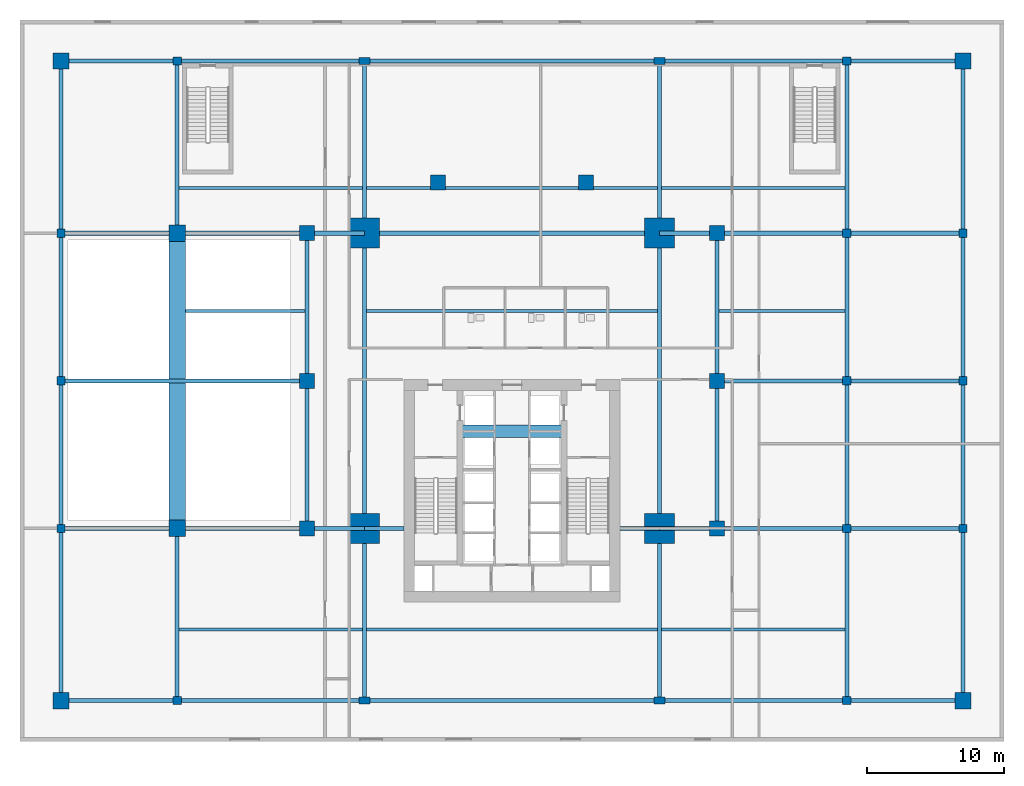
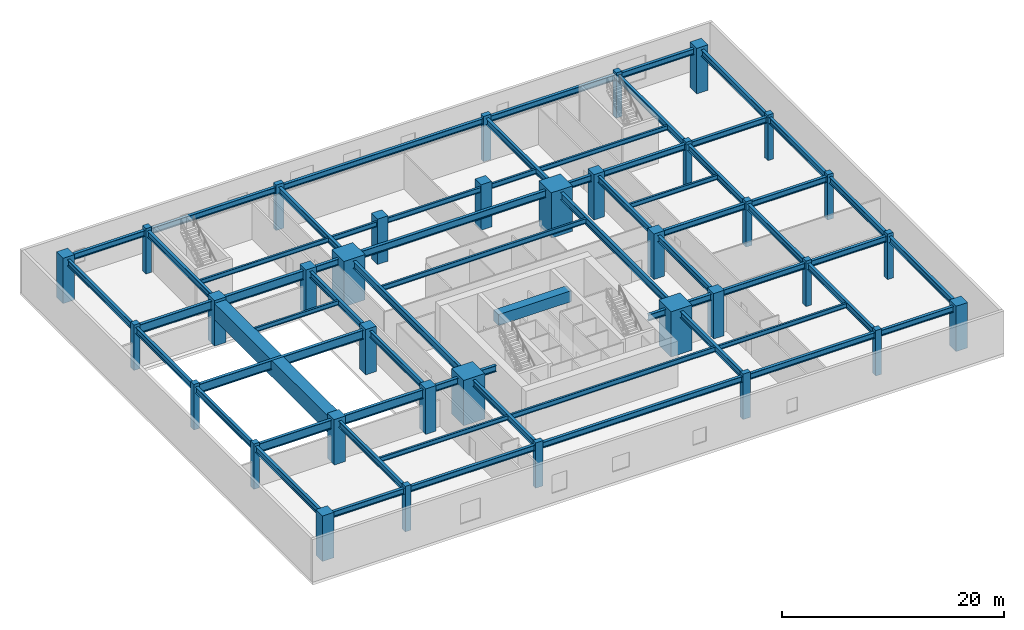
# One storey, part 1 of 9: 61 beams, 35 columns.
"""IFC4 building model written with IfcOpenShell, lengths in metres."""

from ifc_helpers import new_model, si_unit, direction, frame, origin, origin_2d, place, context, subcontext, project, spatial, rectangle, i_section, extrude, source, transform, mapped, material, material_profile, profile_set, type_object, type_shapes, element, save


model = new_model("IFC4")

# Units and contexts
model_context = context("Model", 3, precision=1e-05, world=origin(), true_north=direction((0.0, 1.0)))
body_context = subcontext(model_context, "Body", "Model", "MODEL_VIEW")
ifc_project = project(units=[si_unit("LENGTHUNIT", "METRE"), si_unit("AREAUNIT", "SQUARE_METRE"), si_unit("VOLUMEUNIT", "CUBIC_METRE"), si_unit("PLANEANGLEUNIT", "RADIAN"), si_unit("MASSUNIT", "GRAM", prefix="KILO")], contexts=[model_context])

# Site, building, storey
site_placement = place(None, origin())
site = spatial("IfcSite", under=ifc_project, at=site_placement, CompositionType="ELEMENT")
building_placement = place(site_placement, origin())
building = spatial("IfcBuilding", under=site, at=building_placement, Name="Krantzveldt Concourse Tower", CompositionType="ELEMENT")
storey_placement = place(building_placement, frame((0.0, 0.0, 10.39990234375)))
storey = spatial("IfcBuildingStorey", under=building, at=storey_placement, Name="L02", CompositionType="ELEMENT", Elevation=10.39990234375)

# Columns
ifc_material_1 = material(Name="Concrete C60/75", Category="concrete")
ifc_material_profile_1 = material_profile(ifc_material_1, rectangle(XDim=2.199951171875, YDim=2.199951171875, at=origin_2d()), Name="Concrete C60/75", Category="concrete")
ifc_profile_set_1 = profile_set([ifc_material_profile_1], Name="Concrete C60/75 - RC 2200x2200")
column_type_1 = type_object("IfcColumnType", Name="COL-MC-2200", PredefinedType="USERDEFINED", material=ifc_profile_set_1)
shared_shape_1 = source(origin(), body_context, "Body", "SweptSolid", [
    extrude(rectangle(XDim=2.199951171875, YDim=2.199951171875, at=origin_2d()), origin(), (0.0, 0.0, 1.0), 5.0),
])
type_shapes(column_type_1, [shared_shape_1])
for number, where, z_axis, x_axis, name in (
    (1, (25.199951171875, 15.89990234375, 0.0), (0.0, 0.0, 1.0), (1.0, 0.0, 0.0), "MC-SW-L02"),
    (2, (46.800048828125, 15.89990234375, 0.0), (0.0, 0.0, 1.0), (1.0, 0.0, 0.0), "MC-SE-L02"),
    (3, (46.800048828125, 37.5, 0.0), (0.0, 0.0, 1.0), (1.0, 0.0, 0.0), "MC-NE-L02"),
    (4, (25.199951171875, 37.5, 0.0), (0.0, 0.0, 1.0), (1.0, 0.0, 0.0), "MC-NW-L02"),
):
    element("IfcColumn", number, at=place(storey_placement, frame(where, z_axis=z_axis, x_axis=x_axis)), inside=storey, type_object=column_type_1, Name=name, ObjectType="MEGA COLUMN", PredefinedType="USERDEFINED", context=body_context, shape_type="MappedRepresentation", body=[
        mapped(shared_shape_1, transform((0.0, 0.0, 0.0), x_axis=(1.0, 0.0, 0.0), y_axis=(0.0, 1.0, 0.0), z_axis=(0.0, 0.0, 1.0), scale=1.0)),
    ])
ifc_material_profile_2 = material_profile(ifc_material_1, rectangle(XDim=1.10009765625, YDim=1.10009765625, at=origin_2d()), Name="Concrete C60/75", Category="concrete")
ifc_profile_set_2 = profile_set([ifc_material_profile_2], Name="Concrete C60/75 - RC 1100x1100")
column_type_2 = type_object("IfcColumnType", Name="COL-C-Z1", PredefinedType="COLUMN", material=ifc_profile_set_2)
shared_shape_2 = source(origin(), body_context, "Body", "SweptSolid", [
    extrude(rectangle(XDim=1.10009765625, YDim=1.10009765625, at=origin_2d()), origin(), (0.0, 0.0, 1.0), 5.0),
])
type_shapes(column_type_2, [shared_shape_2])
for number, where, z_axis, x_axis, name in (
    (5, (21.0, 15.89990234375, 0.0), (0.0, 0.0, 1.0), (1.0, 0.0, 0.0), "PC-R01-L02"),
    (6, (21.0, 26.699951171875, 0.0), (0.0, 0.0, 1.0), (1.0, 0.0, 0.0), "PC-R02-L02"),
    (7, (21.0, 37.5, 0.0), (0.0, 0.0, 1.0), (1.0, 0.0, 0.0), "PC-R03-L02"),
    (8, (30.60009765625, 41.199951171875, 0.0), (0.0, 0.0, 1.0), (1.0, 0.0, 0.0), "PC-R04-L02"),
    (9, (41.39990234375, 41.199951171875, 0.0), (0.0, 0.0, 1.0), (1.0, 0.0, 0.0), "PC-R05-L02"),
    (10, (51.0, 37.5, 0.0), (0.0, 0.0, 1.0), (1.0, 0.0, 0.0), "PC-R06-L02"),
    (11, (51.0, 26.699951171875, 0.0), (0.0, 0.0, 1.0), (1.0, 0.0, 0.0), "PC-R07-L02"),
    (12, (51.0, 15.89990234375, 0.0), (0.0, 0.0, 1.0), (1.0, 0.0, 0.0), "PC-R08-L02"),
):
    element("IfcColumn", number, at=place(storey_placement, frame(where, z_axis=z_axis, x_axis=x_axis)), inside=storey, type_object=column_type_2, Name=name, PredefinedType="COLUMN", context=body_context, shape_type="MappedRepresentation", body=[
        mapped(shared_shape_2, transform((0.0, 0.0, 0.0), x_axis=(1.0, 0.0, 0.0), y_axis=(0.0, 1.0, 0.0), z_axis=(0.0, 0.0, 1.0), scale=1.0)),
    ])
ifc_material_2 = material(Name="Concrete C40/50", Category="concrete")
ifc_material_profile_3 = material_profile(ifc_material_2, rectangle(XDim=0.60009765625, YDim=0.60009765625, at=origin_2d()), Name="Concrete C40/50", Category="concrete")
ifc_profile_set_3 = profile_set([ifc_material_profile_3], Name="Concrete C40/50 - RC 600x600")
column_type_3 = type_object("IfcColumnType", Name="COL-C-POD", PredefinedType="COLUMN", material=ifc_profile_set_3)
shared_shape_3 = source(origin(), body_context, "Body", "SweptSolid", [
    extrude(rectangle(XDim=0.60009765625, YDim=0.60009765625, at=origin_2d()), origin(), (0.0, 0.0, 1.0), 5.0),
])
type_shapes(column_type_3, [shared_shape_3])
for number, where, z_axis, x_axis, name in (
    (13, (3.0, 15.89990234375, 0.0), (0.0, 0.0, 1.0), (1.0, 0.0, 0.0), "PC-W1-L02"),
    (14, (3.0, 26.699951171875, 0.0), (0.0, 0.0, 1.0), (1.0, 0.0, 0.0), "PC-W2-L02"),
    (15, (3.0, 37.5, 0.0), (0.0, 0.0, 1.0), (1.0, 0.0, 0.0), "PC-W3-L02"),
    (16, (69.0, 15.89990234375, 0.0), (0.0, 0.0, 1.0), (1.0, 0.0, 0.0), "PC-E1-L02"),
    (17, (69.0, 26.699951171875, 0.0), (0.0, 0.0, 1.0), (1.0, 0.0, 0.0), "PC-E2-L02"),
    (18, (69.0, 37.5, 0.0), (0.0, 0.0, 1.0), (1.0, 0.0, 0.0), "PC-E3-L02"),
    (19, (11.5, 50.10009765625, 0.0), (0.0, 0.0, 1.0), (1.0, 0.0, 0.0), "PC-IW4-L02"),
    (20, (11.5, 3.300048828125, 0.0), (0.0, 0.0, 1.0), (1.0, 0.0, 0.0), "PC-IWS-L02"),
    (21, (60.5, 15.89990234375, 0.0), (0.0, 0.0, 1.0), (1.0, 0.0, 0.0), "PC-IE1-L02"),
    (22, (60.5, 26.699951171875, 0.0), (0.0, 0.0, 1.0), (1.0, 0.0, 0.0), "PC-IE2-L02"),
    (23, (60.5, 37.5, 0.0), (0.0, 0.0, 1.0), (1.0, 0.0, 0.0), "PC-IE3-L02"),
    (24, (60.5, 50.10009765625, 0.0), (0.0, 0.0, 1.0), (1.0, 0.0, 0.0), "PC-IE4-L02"),
    (25, (60.5, 3.300048828125, 0.0), (0.0, 0.0, 1.0), (1.0, 0.0, 0.0), "PC-IES-L02"),
):
    element("IfcColumn", number, at=place(storey_placement, frame(where, z_axis=z_axis, x_axis=x_axis)), inside=storey, type_object=column_type_3, Name=name, PredefinedType="COLUMN", context=body_context, shape_type="MappedRepresentation", body=[
        mapped(shared_shape_3, transform((0.0, 0.0, 0.0), x_axis=(1.0, 0.0, 0.0), y_axis=(0.0, 1.0, 0.0), z_axis=(0.0, 0.0, 1.0), scale=1.0)),
    ])
ifc_material_3 = material(Name="Concrete C50/60", Category="concrete")
ifc_material_profile_4 = material_profile(ifc_material_3, rectangle(XDim=1.199951171875, YDim=1.199951171875, at=origin_2d()), Name="Concrete C50/60", Category="concrete")
ifc_profile_set_4 = profile_set([ifc_material_profile_4], Name="Concrete C50/60 - RC 1200x1200")
column_type_4 = type_object("IfcColumnType", Name="COL-MC-1200", PredefinedType="USERDEFINED", material=ifc_profile_set_4)
shared_shape_4 = source(origin(), body_context, "Body", "SweptSolid", [
    extrude(rectangle(XDim=1.199951171875, YDim=1.199951171875, at=origin_2d()), origin(), (0.0, 0.0, 1.0), 5.0),
])
type_shapes(column_type_4, [shared_shape_4])
for number, where, z_axis, x_axis, name in (
    (26, (3.0, 3.300048828125, 0.0), (0.0, 0.0, 1.0), (1.0, 0.0, 0.0), "PC-SW-L02"),
    (27, (69.0, 3.300048828125, 0.0), (0.0, 0.0, 1.0), (1.0, 0.0, 0.0), "PC-SE-L02"),
    (28, (69.0, 50.10009765625, 0.0), (0.0, 0.0, 1.0), (1.0, 0.0, 0.0), "PC-NE-L02"),
    (29, (3.0, 50.10009765625, 0.0), (0.0, 0.0, 1.0), (1.0, 0.0, 0.0), "PC-NW-L02"),
    (30, (11.5, 15.89990234375, 0.0), (0.0, 0.0, 1.0), (1.0, 0.0, 0.0), "PC-IW1-L02"),
    (31, (11.5, 37.5, 0.0), (0.0, 0.0, 1.0), (1.0, 0.0, 0.0), "PC-IW3-L02"),
):
    element("IfcColumn", number, at=place(storey_placement, frame(where, z_axis=z_axis, x_axis=x_axis)), inside=storey, type_object=column_type_4, Name=name, ObjectType="MEGA COLUMN", PredefinedType="USERDEFINED", context=body_context, shape_type="MappedRepresentation", body=[
        mapped(shared_shape_4, transform((0.0, 0.0, 0.0), x_axis=(1.0, 0.0, 0.0), y_axis=(0.0, 1.0, 0.0), z_axis=(0.0, 0.0, 1.0), scale=1.0)),
    ])
ifc_material_profile_5 = material_profile(ifc_material_3, rectangle(XDim=0.800048828125, YDim=0.5, at=origin_2d()), Name="Concrete C50/60", Category="concrete")
ifc_profile_set_5 = profile_set([ifc_material_profile_5], Name="Concrete C50/60 - RC-PIL 800x500")
column_type_5 = type_object("IfcColumnType", Name="COL-PIL-800", PredefinedType="PILASTER", material=ifc_profile_set_5)
shared_shape_5 = source(origin(), body_context, "Body", "SweptSolid", [
    extrude(rectangle(XDim=0.800048828125, YDim=0.5, at=origin_2d()), origin(), (0.0, 0.0, 1.0), 5.0),
])
type_shapes(column_type_5, [shared_shape_5])
for number, where, z_axis, x_axis, name in (
    (32, (25.199951171875, 3.300048828125, 0.0), (0.0, 0.0, 1.0), (1.0, 0.0, 0.0), "PC-PIL1-L02"),
    (33, (46.800048828125, 3.300048828125, 0.0), (0.0, 0.0, 1.0), (1.0, 0.0, 0.0), "PC-PIL2-L02"),
    (34, (25.199951171875, 50.10009765625, 0.0), (0.0, 0.0, 1.0), (1.0, 0.0, 0.0), "PC-PIL3-L02"),
    (35, (46.800048828125, 50.10009765625, 0.0), (0.0, 0.0, 1.0), (1.0, 0.0, 0.0), "PC-PIL4-L02"),
):
    element("IfcColumn", number, at=place(storey_placement, frame(where, z_axis=z_axis, x_axis=x_axis)), inside=storey, type_object=column_type_5, Name=name, PredefinedType="PILASTER", context=body_context, shape_type="MappedRepresentation", body=[
        mapped(shared_shape_5, transform((0.0, 0.0, 0.0), x_axis=(1.0, 0.0, 0.0), y_axis=(0.0, 1.0, 0.0), z_axis=(0.0, 0.0, 1.0), scale=1.0)),
    ])

# Beams
ifc_material_profile_6 = material_profile(ifc_material_3, rectangle(XDim=0.89990234375, YDim=1.199951171875, at=origin_2d()), Name="Concrete C50/60", Category="concrete")
ifc_profile_set_6 = profile_set([ifc_material_profile_6], Name="Concrete C50/60 - RC-CB 900x1200")
beam_type_1 = type_object("IfcBeamType", Name="BM-CB-1200", PredefinedType="LINTEL", material=ifc_profile_set_6)
shared_shape_6 = source(origin(), body_context, "Body", "SweptSolid", [
    extrude(rectangle(XDim=0.89990234375, YDim=1.199951171875, at=origin_2d()), origin(), (0.0, 0.0, 1.0), 7.580078125),
])
type_shapes(beam_type_1, [shared_shape_6])
beam_1_placement = place(storey_placement, frame((32.2099609375, 23.0, 4.10009765625), z_axis=(1.0, 0.0, 0.0), x_axis=(0.0, 1.0, 0.0)))
element("IfcBeam", 36, at=beam_1_placement, inside=storey, type_object=beam_type_1, Name="CB-L02-01", PredefinedType="LINTEL", context=body_context, shape_type="MappedRepresentation", body=[
    mapped(shared_shape_6, transform((0.0, 0.0, 0.0), x_axis=(1.0, 0.0, 0.0), y_axis=(0.0, 1.0, 0.0), z_axis=(0.0, 0.0, 1.0), scale=1.0)),
])
ifc_material_4 = material(Name="Steel S355J2", Category="steel")
ifc_material_profile_7 = material_profile(ifc_material_4, i_section(OverallWidth=0.300048828125, OverallDepth=0.800048828125, WebThickness=0.017578125, FlangeThickness=0.032958984375, FilletRadius=0.030029296875, at=origin_2d()), Name="Steel S355J2", Category="steel")
ifc_profile_set_7 = profile_set([ifc_material_profile_7], Name="Steel S355J2 - HEB 800")
beam_type_2 = type_object("IfcBeamType", Name="BM-B-HEB800", PredefinedType="BEAM", material=ifc_profile_set_7)
shared_shape_7 = source(origin(), body_context, "Body", "SweptSolid", [
    extrude(i_section(OverallWidth=0.300048828125, OverallDepth=0.800048828125, WebThickness=0.017578125, FlangeThickness=0.032958984375, FilletRadius=0.030029296875, at=origin_2d()), origin(), (0.0, 0.0, 1.0), 21.60009765625),
])
type_shapes(beam_type_2, [shared_shape_7])
for number, where, z_axis, x_axis, name in (
    (37, (25.199951171875, 37.5, 4.300048828125), (1.0, 0.0, 0.0), (0.0, 1.0, 0.0), "L02 Podium Primary Girder BG-MN"),
    (38, (25.199951171875, 15.89990234375, 4.300048828125), (0.0, 1.0, 0.0), (-1.0, 0.0, 0.0), "L02 Podium Primary Girder BG-MW"),
    (39, (46.800048828125, 15.89990234375, 4.300048828125), (0.0, 1.0, 0.0), (-1.0, 0.0, 0.0), "L02 Podium Primary Girder BG-ME"),
):
    element("IfcBeam", number, at=place(storey_placement, frame(where, z_axis=z_axis, x_axis=x_axis)), inside=storey, type_object=beam_type_2, Name=name, PredefinedType="BEAM", context=body_context, shape_type="MappedRepresentation", body=[
        mapped(shared_shape_7, transform((0.0, 0.0, 0.0), x_axis=(1.0, 0.0, 0.0), y_axis=(0.0, 1.0, 0.0), z_axis=(0.0, 0.0, 1.0), scale=1.0)),
    ])
ifc_material_5 = material(Name="Steel S355JR", Category="steel")
ifc_material_profile_8 = material_profile(ifc_material_5, i_section(OverallWidth=0.300048828125, OverallDepth=0.68994140625, WebThickness=0.014404296875, FlangeThickness=0.027099609375, FilletRadius=0.027099609375, at=origin_2d()), Name="Steel S355JR", Category="steel")
ifc_profile_set_8 = profile_set([ifc_material_profile_8], Name="Steel S355JR - HEA 700")
beam_type_3 = type_object("IfcBeamType", Name="BM-B-HEA700", PredefinedType="BEAM", material=ifc_profile_set_8)
shared_shape_8 = source(origin(), body_context, "Body", "SweptSolid", [
    extrude(i_section(OverallWidth=0.300048828125, OverallDepth=0.68994140625, WebThickness=0.014404296875, FlangeThickness=0.027099609375, FilletRadius=0.027099609375, at=origin_2d()), origin(), (0.0, 0.0, 1.0), 10.800048828125),
])
for number, where, z_axis, x_axis, name in (
    (40, (21.0, 15.89990234375, 4.35498046875), (0.0, 1.0, 0.0), (-1.0, 0.0, 0.0), "L02 Podium Primary Girder BG-RW1"),
    (41, (21.0, 26.699951171875, 4.35498046875), (0.0, 1.0, 0.0), (-1.0, 0.0, 0.0), "L02 Podium Primary Girder BG-RW2"),
    (42, (51.0, 15.89990234375, 4.35498046875), (0.0, 1.0, 0.0), (-1.0, 0.0, 0.0), "L02 Podium Primary Girder BG-RE1"),
    (43, (51.0, 26.699951171875, 4.35498046875), (0.0, 1.0, 0.0), (-1.0, 0.0, 0.0), "L02 Podium Primary Girder BG-RE2"),
    (44, (60.5, 15.89990234375, 4.35498046875), (0.0, 1.0, 0.0), (-1.0, 0.0, 0.0), "L02 Podium Primary Girder BG-IE-2"),
    (45, (60.5, 26.699951171875, 4.35498046875), (0.0, 1.0, 0.0), (-1.0, 0.0, 0.0), "L02 Podium Primary Girder BG-IE-3"),
    (46, (3.0, 15.89990234375, 4.35498046875), (0.0, 1.0, 0.0), (-1.0, 0.0, 0.0), "L02 Podium Primary Girder BG-OW2"),
    (47, (3.0, 26.699951171875, 4.35498046875), (0.0, 1.0, 0.0), (-1.0, 0.0, 0.0), "L02 Podium Primary Girder BG-OW3"),
    (48, (69.0, 15.89990234375, 4.35498046875), (0.0, 1.0, 0.0), (-1.0, 0.0, 0.0), "L02 Podium Primary Girder BG-OE2"),
    (49, (69.0, 26.699951171875, 4.35498046875), (0.0, 1.0, 0.0), (-1.0, 0.0, 0.0), "L02 Podium Primary Girder BG-OE3"),
):
    element("IfcBeam", number, at=place(storey_placement, frame(where, z_axis=z_axis, x_axis=x_axis)), inside=storey, type_object=beam_type_3, Name=name, PredefinedType="BEAM", context=body_context, shape_type="MappedRepresentation", body=[
        mapped(shared_shape_8, transform((0.0, 0.0, 0.0), x_axis=(1.0, 0.0, 0.0), y_axis=(0.0, 1.0, 0.0), z_axis=(0.0, 0.0, 1.0), scale=1.0)),
    ])
ifc_material_profile_9 = material_profile(ifc_material_4, i_section(OverallWidth=0.300048828125, OverallDepth=0.699951171875, WebThickness=0.01708984375, FlangeThickness=0.031982421875, FilletRadius=0.027099609375, at=origin_2d()), Name="Steel S355J2", Category="steel")
ifc_profile_set_9 = profile_set([ifc_material_profile_9], Name="Steel S355J2 - HEB 700")
beam_type_4 = type_object("IfcBeamType", Name="BM-B-HEB700", PredefinedType="BEAM", material=ifc_profile_set_9)
shared_shape_9 = source(origin(), body_context, "Body", "SweptSolid", [
    extrude(i_section(OverallWidth=0.300048828125, OverallDepth=0.699951171875, WebThickness=0.01708984375, FlangeThickness=0.031982421875, FilletRadius=0.027099609375, at=origin_2d()), origin(), (0.0, 0.0, 1.0), 4.199951171875),
])
for number, where, z_axis, x_axis, name in (
    (50, (21.0, 15.89990234375, 4.35009765625), (1.0, 0.0, 0.0), (0.0, 1.0, 0.0), "L02 Podium Primary Girder BG-RL1"),
    (51, (21.0, 37.5, 4.35009765625), (1.0, 0.0, 0.0), (0.0, 1.0, 0.0), "L02 Podium Primary Girder BG-RL3"),
    (52, (46.800048828125, 15.89990234375, 4.35009765625), (1.0, 0.0, 0.0), (0.0, 1.0, 0.0), "L02 Podium Primary Girder BG-RR1"),
    (53, (46.800048828125, 37.5, 4.35009765625), (1.0, 0.0, 0.0), (0.0, 1.0, 0.0), "L02 Podium Primary Girder BG-RR3"),
):
    element("IfcBeam", number, at=place(storey_placement, frame(where, z_axis=z_axis, x_axis=x_axis)), inside=storey, type_object=beam_type_4, Name=name, PredefinedType="BEAM", context=body_context, shape_type="MappedRepresentation", body=[
        mapped(shared_shape_9, transform((0.0, 0.0, 0.0), x_axis=(1.0, 0.0, 0.0), y_axis=(0.0, 1.0, 0.0), z_axis=(0.0, 0.0, 1.0), scale=1.0)),
    ])
shared_shape_10 = source(origin(), body_context, "Body", "SweptSolid", [
    extrude(i_section(OverallWidth=0.300048828125, OverallDepth=0.699951171875, WebThickness=0.01708984375, FlangeThickness=0.031982421875, FilletRadius=0.027099609375, at=origin_2d()), origin(), (0.0, 0.0, 1.0), 2.880126953125),
])
type_shapes(beam_type_4, [shared_shape_9, shared_shape_10])
for number, where, z_axis, x_axis, name in (
    (54, (25.199951171875, 15.89990234375, 4.35009765625), (1.0, 0.0, 0.0), (0.0, 1.0, 0.0), "L02 Podium Primary Girder BG-CW"),
    (55, (43.919921875, 15.89990234375, 4.35009765625), (1.0, 0.0, 0.0), (0.0, 1.0, 0.0), "L02 Podium Primary Girder BG-CE"),
):
    element("IfcBeam", number, at=place(storey_placement, frame(where, z_axis=z_axis, x_axis=x_axis)), inside=storey, type_object=beam_type_4, Name=name, PredefinedType="BEAM", context=body_context, shape_type="MappedRepresentation", body=[
        mapped(shared_shape_10, transform((0.0, 0.0, 0.0), x_axis=(1.0, 0.0, 0.0), y_axis=(0.0, 1.0, 0.0), z_axis=(0.0, 0.0, 1.0), scale=1.0)),
    ])
shared_shape_11 = source(origin(), body_context, "Body", "SweptSolid", [
    extrude(i_section(OverallWidth=0.300048828125, OverallDepth=0.68994140625, WebThickness=0.014404296875, FlangeThickness=0.027099609375, FilletRadius=0.027099609375, at=origin_2d()), origin(), (0.0, 0.0, 1.0), 12.60009765625),
])
for number, where, z_axis, x_axis, name in (
    (56, (25.199951171875, 37.5, 4.35498046875), (0.0, 1.0, 0.0), (-1.0, 0.0, 0.0), "L02 Podium Primary Girder BG-PN1"),
    (57, (46.800048828125, 37.5, 4.35498046875), (0.0, 1.0, 0.0), (-1.0, 0.0, 0.0), "L02 Podium Primary Girder BG-PN2"),
    (58, (11.5, 37.5, 4.35498046875), (0.0, 1.0, 0.0), (-1.0, 0.0, 0.0), "L02 Podium Primary Girder BG-IW-3"),
    (59, (60.5, 37.5, 4.35498046875), (0.0, 1.0, 0.0), (-1.0, 0.0, 0.0), "L02 Podium Primary Girder BG-IE-4"),
    (60, (3.0, 37.5, 4.35498046875), (0.0, 1.0, 0.0), (-1.0, 0.0, 0.0), "L02 Podium Primary Girder BG-OW4"),
    (61, (69.0, 37.5, 4.35498046875), (0.0, 1.0, 0.0), (-1.0, 0.0, 0.0), "L02 Podium Primary Girder BG-OE4"),
):
    element("IfcBeam", number, at=place(storey_placement, frame(where, z_axis=z_axis, x_axis=x_axis)), inside=storey, type_object=beam_type_3, Name=name, PredefinedType="BEAM", context=body_context, shape_type="MappedRepresentation", body=[
        mapped(shared_shape_11, transform((0.0, 0.0, 0.0), x_axis=(1.0, 0.0, 0.0), y_axis=(0.0, 1.0, 0.0), z_axis=(0.0, 0.0, 1.0), scale=1.0)),
    ])
shared_shape_12 = source(origin(), body_context, "Body", "SweptSolid", [
    extrude(i_section(OverallWidth=0.300048828125, OverallDepth=0.68994140625, WebThickness=0.014404296875, FlangeThickness=0.027099609375, FilletRadius=0.027099609375, at=origin_2d()), origin(), (0.0, 0.0, 1.0), 12.599853515625),
])
type_shapes(beam_type_3, [shared_shape_8, shared_shape_11, shared_shape_12])
for number, where, z_axis, x_axis, name in (
    (62, (25.199951171875, 3.300048828125, 4.35498046875), (0.0, 1.0, 0.0), (-1.0, 0.0, 0.0), "L02 Podium Primary Girder BG-PS1"),
    (63, (46.800048828125, 3.300048828125, 4.35498046875), (0.0, 1.0, 0.0), (-1.0, 0.0, 0.0), "L02 Podium Primary Girder BG-PS2"),
    (64, (11.5, 3.300048828125, 4.35498046875), (0.0, 1.0, 0.0), (-1.0, 0.0, 0.0), "L02 Podium Primary Girder BG-IW-1"),
    (65, (60.5, 3.300048828125, 4.35498046875), (0.0, 1.0, 0.0), (-1.0, 0.0, 0.0), "L02 Podium Primary Girder BG-IE-1"),
    (66, (3.0, 3.300048828125, 4.35498046875), (0.0, 1.0, 0.0), (-1.0, 0.0, 0.0), "L02 Podium Primary Girder BG-OW1"),
    (67, (69.0, 3.300048828125, 4.35498046875), (0.0, 1.0, 0.0), (-1.0, 0.0, 0.0), "L02 Podium Primary Girder BG-OE1"),
):
    element("IfcBeam", number, at=place(storey_placement, frame(where, z_axis=z_axis, x_axis=x_axis)), inside=storey, type_object=beam_type_3, Name=name, PredefinedType="BEAM", context=body_context, shape_type="MappedRepresentation", body=[
        mapped(shared_shape_12, transform((0.0, 0.0, 0.0), x_axis=(1.0, 0.0, 0.0), y_axis=(0.0, 1.0, 0.0), z_axis=(0.0, 0.0, 1.0), scale=1.0)),
    ])
ifc_material_profile_10 = material_profile(ifc_material_5, i_section(OverallWidth=0.300048828125, OverallDepth=0.639892578125, WebThickness=0.013427734375, FlangeThickness=0.02587890625, FilletRadius=0.027099609375, at=origin_2d()), Name="Steel S355JR", Category="steel")
ifc_profile_set_10 = profile_set([ifc_material_profile_10], Name="Steel S355JR - HEA 650")
beam_type_5 = type_object("IfcBeamType", Name="BM-B-HEA650", PredefinedType="BEAM", material=ifc_profile_set_10)
shared_shape_13 = source(origin(), body_context, "Body", "SweptSolid", [
    extrude(i_section(OverallWidth=0.300048828125, OverallDepth=0.639892578125, WebThickness=0.013427734375, FlangeThickness=0.02587890625, FilletRadius=0.027099609375, at=origin_2d()), origin(), (0.0, 0.0, 1.0), 13.699951171875),
])
for number, where, z_axis, x_axis, name in (
    (68, (11.5, 3.300048828125, 4.380126953125), (1.0, 0.0, 0.0), (0.0, 1.0, 0.0), "L02 Podium Primary Girder BG-SN1"),
    (69, (46.800048828125, 3.300048828125, 4.380126953125), (1.0, 0.0, 0.0), (0.0, 1.0, 0.0), "L02 Podium Primary Girder BG-SN3"),
    (70, (11.5, 50.10009765625, 4.380126953125), (1.0, 0.0, 0.0), (0.0, 1.0, 0.0), "L02 Podium Primary Girder BG-NN1"),
    (71, (46.800048828125, 50.10009765625, 4.380126953125), (1.0, 0.0, 0.0), (0.0, 1.0, 0.0), "L02 Podium Primary Girder BG-NN3"),
):
    element("IfcBeam", number, at=place(storey_placement, frame(where, z_axis=z_axis, x_axis=x_axis)), inside=storey, type_object=beam_type_5, Name=name, PredefinedType="BEAM", context=body_context, shape_type="MappedRepresentation", body=[
        mapped(shared_shape_13, transform((0.0, 0.0, 0.0), x_axis=(1.0, 0.0, 0.0), y_axis=(0.0, 1.0, 0.0), z_axis=(0.0, 0.0, 1.0), scale=1.0)),
    ])
shared_shape_14 = source(origin(), body_context, "Body", "SweptSolid", [
    extrude(i_section(OverallWidth=0.300048828125, OverallDepth=0.639892578125, WebThickness=0.013427734375, FlangeThickness=0.02587890625, FilletRadius=0.027099609375, at=origin_2d()), origin(), (0.0, 0.0, 1.0), 21.60009765625),
])
for number, where, z_axis, x_axis, name in (
    (72, (25.199951171875, 3.300048828125, 4.380126953125), (1.0, 0.0, 0.0), (0.0, 1.0, 0.0), "L02 Podium Primary Girder BG-SN2"),
    (73, (25.199951171875, 50.10009765625, 4.380126953125), (1.0, 0.0, 0.0), (0.0, 1.0, 0.0), "L02 Podium Primary Girder BG-NN2"),
):
    element("IfcBeam", number, at=place(storey_placement, frame(where, z_axis=z_axis, x_axis=x_axis)), inside=storey, type_object=beam_type_5, Name=name, PredefinedType="BEAM", context=body_context, shape_type="MappedRepresentation", body=[
        mapped(shared_shape_14, transform((0.0, 0.0, 0.0), x_axis=(1.0, 0.0, 0.0), y_axis=(0.0, 1.0, 0.0), z_axis=(0.0, 0.0, 1.0), scale=1.0)),
    ])
ifc_material_profile_11 = material_profile(ifc_material_1, rectangle(XDim=1.199951171875, YDim=1.800048828125, at=origin_2d()), Name="Concrete C60/75", Category="concrete")
ifc_profile_set_11 = profile_set([ifc_material_profile_11], Name="Concrete C60/75 - RC-TB 1200x1800")
beam_type_6 = type_object("IfcBeamType", Name="BM-RCTB-1800", PredefinedType="USERDEFINED", material=ifc_profile_set_11)
shared_shape_15 = source(origin(), body_context, "Body", "SweptSolid", [
    extrude(rectangle(XDim=1.199951171875, YDim=1.800048828125, at=origin_2d()), origin(), (0.0, 0.0, 1.0), 21.60009765625),
])
type_shapes(beam_type_6, [shared_shape_15])
beam_2_placement = place(storey_placement, frame((11.5, 15.89990234375, 3.800048828125), z_axis=(0.0, 1.0, 0.0), x_axis=(-1.0, 0.0, 0.0)))
element("IfcBeam", 74, at=beam_2_placement, inside=storey, type_object=beam_type_6, Name="L02 Podium Primary Girder BG-IW-2", ObjectType="TRANSFER GIRDER", PredefinedType="USERDEFINED", context=body_context, shape_type="MappedRepresentation", body=[
    mapped(shared_shape_15, transform((0.0, 0.0, 0.0), x_axis=(1.0, 0.0, 0.0), y_axis=(0.0, 1.0, 0.0), z_axis=(0.0, 0.0, 1.0), scale=1.0)),
])
shared_shape_16 = source(origin(), body_context, "Body", "SweptSolid", [
    extrude(i_section(OverallWidth=0.300048828125, OverallDepth=0.639892578125, WebThickness=0.013427734375, FlangeThickness=0.02587890625, FilletRadius=0.027099609375, at=origin_2d()), origin(), (0.0, 0.0, 1.0), 9.5),
])
for number, where, z_axis, x_axis, name in (
    (75, (51.0, 15.89990234375, 4.380126953125), (1.0, 0.0, 0.0), (0.0, 1.0, 0.0), "L02 Podium Primary Girder BG-ME1"),
    (76, (51.0, 26.699951171875, 4.380126953125), (1.0, 0.0, 0.0), (0.0, 1.0, 0.0), "L02 Podium Primary Girder BG-ME2"),
    (77, (51.0, 37.5, 4.380126953125), (1.0, 0.0, 0.0), (0.0, 1.0, 0.0), "L02 Podium Primary Girder BG-ME3"),
):
    element("IfcBeam", number, at=place(storey_placement, frame(where, z_axis=z_axis, x_axis=x_axis)), inside=storey, type_object=beam_type_5, Name=name, PredefinedType="BEAM", context=body_context, shape_type="MappedRepresentation", body=[
        mapped(shared_shape_16, transform((0.0, 0.0, 0.0), x_axis=(1.0, 0.0, 0.0), y_axis=(0.0, 1.0, 0.0), z_axis=(0.0, 0.0, 1.0), scale=1.0)),
    ])
shared_shape_17 = source(origin(), body_context, "Body", "SweptSolid", [
    extrude(i_section(OverallWidth=0.300048828125, OverallDepth=0.639892578125, WebThickness=0.013427734375, FlangeThickness=0.02587890625, FilletRadius=0.027099609375, at=origin_2d()), origin(), (0.0, 0.0, 1.0), 8.5),
])
type_shapes(beam_type_5, [shared_shape_13, shared_shape_14, shared_shape_16, shared_shape_17])
for number, where, z_axis, x_axis, name in (
    (78, (3.0, 3.300048828125, 4.380126953125), (1.0, 0.0, 0.0), (0.0, 1.0, 0.0), "L02 Podium Primary Girder BG-OWS"),
    (79, (3.0, 50.10009765625, 4.380126953125), (1.0, 0.0, 0.0), (0.0, 1.0, 0.0), "L02 Podium Primary Girder BG-OWN"),
    (80, (60.5, 3.300048828125, 4.380126953125), (1.0, 0.0, 0.0), (0.0, 1.0, 0.0), "L02 Podium Primary Girder BG-OES"),
    (81, (60.5, 50.10009765625, 4.380126953125), (1.0, 0.0, 0.0), (0.0, 1.0, 0.0), "L02 Podium Primary Girder BG-OEN"),
    (82, (60.5, 15.89990234375, 4.380126953125), (1.0, 0.0, 0.0), (0.0, 1.0, 0.0), "L02 Podium Primary Girder BG-EE1"),
    (83, (60.5, 26.699951171875, 4.380126953125), (1.0, 0.0, 0.0), (0.0, 1.0, 0.0), "L02 Podium Primary Girder BG-EE2"),
    (84, (60.5, 37.5, 4.380126953125), (1.0, 0.0, 0.0), (0.0, 1.0, 0.0), "L02 Podium Primary Girder BG-EE3"),
):
    element("IfcBeam", number, at=place(storey_placement, frame(where, z_axis=z_axis, x_axis=x_axis)), inside=storey, type_object=beam_type_5, Name=name, PredefinedType="BEAM", context=body_context, shape_type="MappedRepresentation", body=[
        mapped(shared_shape_17, transform((0.0, 0.0, 0.0), x_axis=(1.0, 0.0, 0.0), y_axis=(0.0, 1.0, 0.0), z_axis=(0.0, 0.0, 1.0), scale=1.0)),
    ])
ifc_material_profile_12 = material_profile(ifc_material_4, i_section(OverallWidth=0.300048828125, OverallDepth=1.0, WebThickness=0.01904296875, FlangeThickness=0.035888671875, FilletRadius=0.030029296875, at=origin_2d()), Name="Steel S355J2", Category="steel")
ifc_profile_set_12 = profile_set([ifc_material_profile_12], Name="Steel S355J2 - HEB 1000")
beam_type_7 = type_object("IfcBeamType", Name="BM-B-HEB1000", PredefinedType="BEAM", material=ifc_profile_set_12)
shared_shape_18 = source(origin(), body_context, "Body", "SweptSolid", [
    extrude(i_section(OverallWidth=0.300048828125, OverallDepth=1.0, WebThickness=0.01904296875, FlangeThickness=0.035888671875, FilletRadius=0.030029296875, at=origin_2d()), origin(), (0.0, 0.0, 1.0), 18.0),
])
type_shapes(beam_type_7, [shared_shape_18])
for number, where, z_axis, x_axis, name in (
    (85, (3.0, 15.89990234375, 4.2001953125), (1.0, 0.0, 0.0), (0.0, 1.0, 0.0), "L02 Podium Primary Girder BG-AUD-1"),
    (86, (3.0, 26.699951171875, 4.2001953125), (1.0, 0.0, 0.0), (0.0, 1.0, 0.0), "L02 Podium Primary Girder BG-AUD-2"),
    (87, (3.0, 37.5, 4.2001953125), (1.0, 0.0, 0.0), (0.0, 1.0, 0.0), "L02 Podium Primary Girder BG-AUD-3"),
):
    element("IfcBeam", number, at=place(storey_placement, frame(where, z_axis=z_axis, x_axis=x_axis)), inside=storey, type_object=beam_type_7, Name=name, PredefinedType="BEAM", context=body_context, shape_type="MappedRepresentation", body=[
        mapped(shared_shape_18, transform((0.0, 0.0, 0.0), x_axis=(1.0, 0.0, 0.0), y_axis=(0.0, 1.0, 0.0), z_axis=(0.0, 0.0, 1.0), scale=1.0)),
    ])
ifc_material_profile_13 = material_profile(ifc_material_5, i_section(OverallWidth=0.2099609375, OverallDepth=0.550048828125, WebThickness=0.010986328125, FlangeThickness=0.01708984375, FilletRadius=0.02392578125, at=origin_2d()), Name="Steel S355JR", Category="steel")
ifc_profile_set_13 = profile_set([ifc_material_profile_13], Name="Steel S355JR - IPE 550")
beam_type_8 = type_object("IfcBeamType", Name="BM-J-IPE550", PredefinedType="JOIST", material=ifc_profile_set_13)
shared_shape_19 = source(origin(), body_context, "Body", "SweptSolid", [
    extrude(i_section(OverallWidth=0.2099609375, OverallDepth=0.550048828125, WebThickness=0.010986328125, FlangeThickness=0.01708984375, FilletRadius=0.02392578125, at=origin_2d()), origin(), (0.0, 0.0, 1.0), 21.2998046875),
])
type_shapes(beam_type_8, [shared_shape_19])
for number, where, z_axis, x_axis, name in (
    (88, (25.35009765625, 8.5, 4.425048828125), (1.0, 0.0, 0.0), (0.0, 1.0, 0.0), "L02 Central Floor Joist 1"),
    (89, (25.35009765625, 31.800048828125, 4.425048828125), (1.0, 0.0, 0.0), (0.0, 1.0, 0.0), "L02 Central Floor Joist 2"),
    (90, (25.35009765625, 40.800048828125, 4.425048828125), (1.0, 0.0, 0.0), (0.0, 1.0, 0.0), "L02 Central Floor Joist 3"),
):
    element("IfcBeam", number, at=place(storey_placement, frame(where, z_axis=z_axis, x_axis=x_axis)), inside=storey, type_object=beam_type_8, Name=name, PredefinedType="JOIST", context=body_context, shape_type="MappedRepresentation", body=[
        mapped(shared_shape_19, transform((0.0, 0.0, 0.0), x_axis=(1.0, 0.0, 0.0), y_axis=(0.0, 1.0, 0.0), z_axis=(0.0, 0.0, 1.0), scale=1.0)),
    ])
ifc_material_profile_14 = material_profile(ifc_material_5, i_section(OverallWidth=0.199951171875, OverallDepth=0.5, WebThickness=0.01025390625, FlangeThickness=0.01611328125, FilletRadius=0.02099609375, at=origin_2d()), Name="Steel S355JR", Category="steel")
ifc_profile_set_14 = profile_set([ifc_material_profile_14], Name="Steel S355JR - IPE 500")
beam_type_9 = type_object("IfcBeamType", Name="BM-J-IPE500", PredefinedType="JOIST", material=ifc_profile_set_14)
shared_shape_20 = source(origin(), body_context, "Body", "SweptSolid", [
    extrude(i_section(OverallWidth=0.199951171875, OverallDepth=0.5, WebThickness=0.01025390625, FlangeThickness=0.01611328125, FilletRadius=0.02099609375, at=origin_2d()), origin(), (0.0, 0.0, 1.0), 13.400146484375),
])
for number, where, z_axis, x_axis, name in (
    (91, (11.64990234375, 8.5, 4.4501953125), (1.0, 0.0, 0.0), (0.0, 1.0, 0.0), "L02 West Inner Joist 1"),
    (92, (46.949951171875, 8.5, 4.4501953125), (1.0, 0.0, 0.0), (0.0, 1.0, 0.0), "L02 East Inner Joist 1"),
    (93, (11.64990234375, 40.800048828125, 4.4501953125), (1.0, 0.0, 0.0), (0.0, 1.0, 0.0), "L02 West Inner Joist 3"),
    (94, (46.949951171875, 40.800048828125, 4.4501953125), (1.0, 0.0, 0.0), (0.0, 1.0, 0.0), "L02 East Inner Joist 3"),
):
    element("IfcBeam", number, at=place(storey_placement, frame(where, z_axis=z_axis, x_axis=x_axis)), inside=storey, type_object=beam_type_9, Name=name, PredefinedType="JOIST", context=body_context, shape_type="MappedRepresentation", body=[
        mapped(shared_shape_20, transform((0.0, 0.0, 0.0), x_axis=(1.0, 0.0, 0.0), y_axis=(0.0, 1.0, 0.0), z_axis=(0.0, 0.0, 1.0), scale=1.0)),
    ])
shared_shape_21 = source(origin(), body_context, "Body", "SweptSolid", [
    extrude(i_section(OverallWidth=0.199951171875, OverallDepth=0.5, WebThickness=0.01025390625, FlangeThickness=0.01611328125, FilletRadius=0.02099609375, at=origin_2d()), origin(), (0.0, 0.0, 1.0), 8.75),
])
beam_3_placement = place(storey_placement, frame((12.10009765625, 31.800048828125, 4.4501953125), z_axis=(1.0, 0.0, 0.0), x_axis=(0.0, 1.0, 0.0)))
element("IfcBeam", 95, at=beam_3_placement, inside=storey, type_object=beam_type_9, Name="L02 West Inner Joist 2", PredefinedType="JOIST", context=body_context, shape_type="MappedRepresentation", body=[
    mapped(shared_shape_21, transform((0.0, 0.0, 0.0), x_axis=(1.0, 0.0, 0.0), y_axis=(0.0, 1.0, 0.0), z_axis=(0.0, 0.0, 1.0), scale=1.0)),
])
shared_shape_22 = source(origin(), body_context, "Body", "SweptSolid", [
    extrude(i_section(OverallWidth=0.199951171875, OverallDepth=0.5, WebThickness=0.01025390625, FlangeThickness=0.01611328125, FilletRadius=0.02099609375, at=origin_2d()), origin(), (0.0, 0.0, 1.0), 9.2001953125),
])
type_shapes(beam_type_9, [shared_shape_20, shared_shape_21, shared_shape_22])
beam_4_placement = place(storey_placement, frame((51.14990234375, 31.800048828125, 4.4501953125), z_axis=(1.0, 0.0, 0.0), x_axis=(0.0, 1.0, 0.0)))
element("IfcBeam", 96, at=beam_4_placement, inside=storey, type_object=beam_type_9, Name="L02 East Inner Joist 2", PredefinedType="JOIST", context=body_context, shape_type="MappedRepresentation", body=[
    mapped(shared_shape_22, transform((0.0, 0.0, 0.0), x_axis=(1.0, 0.0, 0.0), y_axis=(0.0, 1.0, 0.0), z_axis=(0.0, 0.0, 1.0), scale=1.0)),
])

save(model, "model.ifc")
